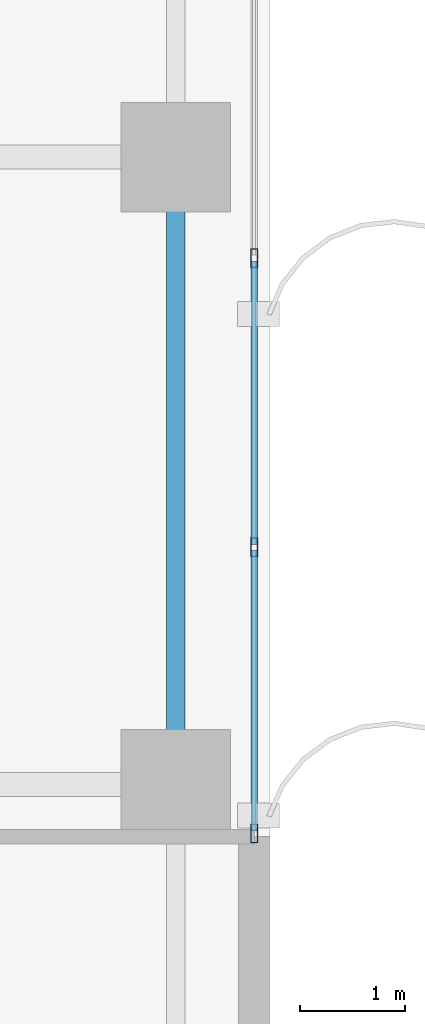
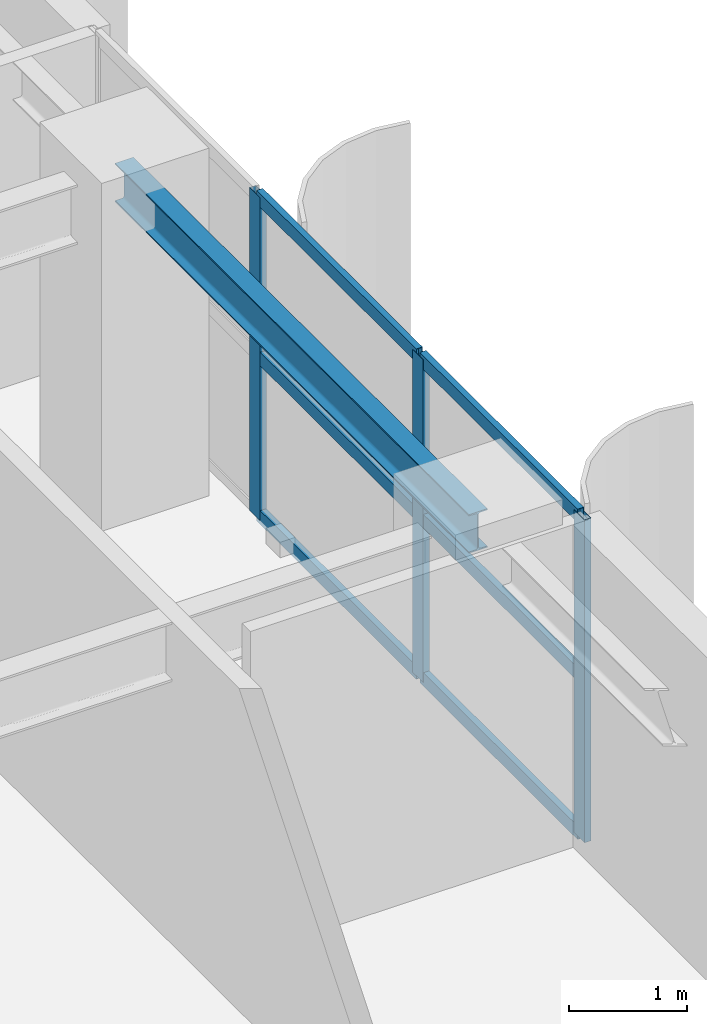
# One storey, part 6 of 22: 9 members, 1 beam, 1 element without a shape of its own.
"""IFC4 building model written with IfcOpenShell, lengths in metres."""

from ifc_helpers import new_model, si_unit, direction, frame, origin, origin_2d, place, context, subcontext, project, spatial, hollow_rectangle, i_section, extrude, source, transform, mapped, material, layer, layer_set, material_profile, profile_set, type_object, element, aggregate, save


model = new_model("IFC4")

# Units and contexts
model_context = context("Model", 3, precision=1e-05, world=origin(), true_north=direction((0.0, 1.0)))
body_context = subcontext(model_context, "Body", "Model", "MODEL_VIEW")
ifc_project = project(units=[si_unit("LENGTHUNIT", "METRE"), si_unit("AREAUNIT", "SQUARE_METRE"), si_unit("VOLUMEUNIT", "CUBIC_METRE"), si_unit("PLANEANGLEUNIT", "RADIAN"), si_unit("MASSUNIT", "GRAM", prefix="KILO")], contexts=[model_context])

# Site, building, storey
site_placement = place(None, origin())
site = spatial("IfcSite", under=ifc_project, at=site_placement, CompositionType="ELEMENT")
building_placement = place(site_placement, origin())
building = spatial("IfcBuilding", under=site, at=building_placement, Name="Khoralis Quay Care Tower", CompositionType="ELEMENT")
storey_placement = place(building_placement, frame((0.0, 0.0, 101.699951171875)))
storey = spatial("IfcBuildingStorey", under=building, at=storey_placement, Name="L26", CompositionType="ELEMENT", Elevation=101.699951171875)

# Beam
ifc_material_1 = material(Name="Steel S355", Category="steel")
ifc_material_profile_1 = material_profile(ifc_material_1, i_section(OverallWidth=0.179931640625, OverallDepth=0.39990234375, WebThickness=0.008544921875, FlangeThickness=0.013427734375, FilletRadius=0.02099609375, at=origin_2d()), Name="Steel S355")
ifc_profile_set_1 = profile_set([ifc_material_profile_1], Name="Steel S355")
beam_type = type_object("IfcBeamType", Name="BM-IPE400", PredefinedType="SPANDREL", material=ifc_profile_set_1)
shared_shape_1 = source(origin(), body_context, "Body", "SweptSolid", [
    extrude(i_section(OverallWidth=0.179931640625, OverallDepth=0.39990234375, WebThickness=0.008544921875, FlangeThickness=0.013427734375, FilletRadius=0.02099609375, at=origin_2d()), origin(), (0.0, 0.0, 1.0), 6.0),
])
beam_placement = place(storey_placement, frame((44.10009765625, 18.0, 3.14013671875), z_axis=(0.0, 1.0, 0.0), x_axis=(-1.0, 0.0, 0.0)))
element("IfcBeam", 1, at=beam_placement, inside=storey, type_object=beam_type, Name="BM-TSP-L26-18", PredefinedType="SPANDREL", context=body_context, shape_type="MappedRepresentation", body=[
    mapped(shared_shape_1, transform((0.0, 0.0, 0.0), scale=1.0)),
])

# Curtain wall, members
ifc_material_2 = material(Name="Pale anodised aluminium", Category="aluminium")
ifc_layer = layer(ifc_material_2, 0.169921875)
ifc_layer_set = layer_set([ifc_layer], Name="Pale anodised aluminium")
curtain_wall_type = type_object("IfcCurtainWallType", Name="CW-SYS-Z2", PredefinedType="NOTDEFINED", material=ifc_layer_set)
curtain_wall_placement = place(storey_placement, origin())
curtain_wall = element("IfcCurtainWall", 2, at=curtain_wall_placement, inside=storey, type_object=curtain_wall_type, Name="L26 Unitised Curtain Wall CW-L26-P1-E5", PredefinedType="NOTDEFINED")
ifc_material_profile_2 = material_profile(ifc_material_2, hollow_rectangle(XDim=0.06494140625, YDim=0.179931640625, WallThickness=0.00390625, at=origin_2d()), Name="Pale anodised aluminium")
ifc_profile_set_2 = profile_set([ifc_material_profile_2], Name="Pale anodised aluminium")
member_type_1 = type_object("IfcMemberType", Name="CW-MUL-180", PredefinedType="MULLION", material=ifc_profile_set_2)
shared_shape_2 = source(origin(), body_context, "Body", "SweptSolid", [
    extrude(hollow_rectangle(XDim=0.06494140625, YDim=0.179931640625, WallThickness=0.00390625, at=origin_2d()), origin(), (0.0, 0.0, 1.0), 3.340087890625),
])
member_1_placement = place(storey_placement, frame((44.85009765625, 17.530029296875, 0.0), z_axis=(0.0, 0.0, 1.0), x_axis=(-1.0, 0.0, 0.0)))
member_1 = element("IfcMember", 3, at=member_1_placement, type_object=member_type_1, Name="CW2 mullion 1", PredefinedType="MULLION", context=body_context, shape_type="MappedRepresentation", body=[
    mapped(shared_shape_2, transform((0.0, 0.0, 0.0), scale=1.0)),
])
member_2_placement = place(storey_placement, frame((44.85009765625, 20.2666015625, 0.0), z_axis=(0.0, 0.0, 1.0), x_axis=(-1.0, 0.0, 0.0)))
member_2 = element("IfcMember", 4, at=member_2_placement, type_object=member_type_1, Name="CW2 mullion 2", PredefinedType="MULLION", context=body_context, shape_type="MappedRepresentation", body=[
    mapped(shared_shape_2, transform((0.0, 0.0, 0.0), scale=1.0)),
])
member_3_placement = place(storey_placement, frame((44.85009765625, 23.033447265625, 0.0), z_axis=(0.0, 0.0, 1.0), x_axis=(-1.0, 0.0, 0.0)))
member_3 = element("IfcMember", 5, at=member_3_placement, type_object=member_type_1, Name="CW2 mullion 3", PredefinedType="MULLION", context=body_context, shape_type="MappedRepresentation", body=[
    mapped(shared_shape_2, transform((0.0, 0.0, 0.0), scale=1.0)),
])
ifc_material_profile_3 = material_profile(ifc_material_2, hollow_rectangle(XDim=0.06005859375, YDim=0.139892578125, WallThickness=0.00390625, at=origin_2d()), Name="Pale anodised aluminium")
ifc_profile_set_3 = profile_set([ifc_material_profile_3], Name="Pale anodised aluminium")
member_type_2 = type_object("IfcMemberType", Name="CW-TRN-140", PredefinedType="USERDEFINED", material=ifc_profile_set_3)
shared_shape_3 = source(origin(), body_context, "Body", "SweptSolid", [
    extrude(hollow_rectangle(XDim=0.06005859375, YDim=0.139892578125, WallThickness=0.00390625, at=origin_2d()), origin(), (0.0, 0.0, 1.0), 2.676513671875),
])
member_4_placement = place(storey_placement, frame((44.85009765625, 17.56005859375, 0.030029296875), z_axis=(0.0, 1.0, 0.0), x_axis=(-1.0, 0.0, 0.0)))
member_4 = element("IfcMember", 6, at=member_4_placement, type_object=member_type_2, Name="CW2 transom 1.1", ObjectType="TRANSOM", PredefinedType="USERDEFINED", context=body_context, shape_type="MappedRepresentation", body=[
    mapped(shared_shape_3, transform((0.0, 0.0, 0.0), scale=1.0)),
])
member_5_placement = place(storey_placement, frame((44.85009765625, 17.56005859375, 1.670166015625), z_axis=(0.0, 1.0, 0.0), x_axis=(-1.0, 0.0, 0.0)))
member_5 = element("IfcMember", 7, at=member_5_placement, type_object=member_type_2, Name="CW2 transom 1.2", ObjectType="TRANSOM", PredefinedType="USERDEFINED", context=body_context, shape_type="MappedRepresentation", body=[
    mapped(shared_shape_3, transform((0.0, 0.0, 0.0), scale=1.0)),
])
member_6_placement = place(storey_placement, frame((44.85009765625, 17.56005859375, 3.31005859375), z_axis=(0.0, 1.0, 0.0), x_axis=(-1.0, 0.0, 0.0)))
member_6 = element("IfcMember", 8, at=member_6_placement, type_object=member_type_2, Name="CW2 transom 1.3", ObjectType="TRANSOM", PredefinedType="USERDEFINED", context=body_context, shape_type="MappedRepresentation", body=[
    mapped(shared_shape_3, transform((0.0, 0.0, 0.0), scale=1.0)),
])
shared_shape_4 = source(origin(), body_context, "Body", "SweptSolid", [
    extrude(hollow_rectangle(XDim=0.06005859375, YDim=0.139892578125, WallThickness=0.00390625, at=origin_2d()), origin(), (0.0, 0.0, 1.0), 2.706787109375),
])
member_7_placement = place(storey_placement, frame((44.85009765625, 20.296630859375, 0.030029296875), z_axis=(0.0, 1.0, 0.0), x_axis=(-1.0, 0.0, 0.0)))
member_7 = element("IfcMember", 9, at=member_7_placement, type_object=member_type_2, Name="CW2 transom 2.1", ObjectType="TRANSOM", PredefinedType="USERDEFINED", context=body_context, shape_type="MappedRepresentation", body=[
    mapped(shared_shape_4, transform((0.0, 0.0, 0.0), scale=1.0)),
])
member_8_placement = place(storey_placement, frame((44.85009765625, 20.296630859375, 1.670166015625), z_axis=(0.0, 1.0, 0.0), x_axis=(-1.0, 0.0, 0.0)))
member_8 = element("IfcMember", 10, at=member_8_placement, type_object=member_type_2, Name="CW2 transom 2.2", ObjectType="TRANSOM", PredefinedType="USERDEFINED", context=body_context, shape_type="MappedRepresentation", body=[
    mapped(shared_shape_4, transform((0.0, 0.0, 0.0), scale=1.0)),
])
member_9_placement = place(storey_placement, frame((44.85009765625, 20.296630859375, 3.31005859375), z_axis=(0.0, 1.0, 0.0), x_axis=(-1.0, 0.0, 0.0)))
member_9 = element("IfcMember", 11, at=member_9_placement, type_object=member_type_2, Name="CW2 transom 2.3", ObjectType="TRANSOM", PredefinedType="USERDEFINED", context=body_context, shape_type="MappedRepresentation", body=[
    mapped(shared_shape_4, transform((0.0, 0.0, 0.0), scale=1.0)),
])
aggregate(curtain_wall, [member_1, member_2, member_3, member_4, member_5, member_6, member_7, member_8, member_9])

save(model, "model.ifc")
